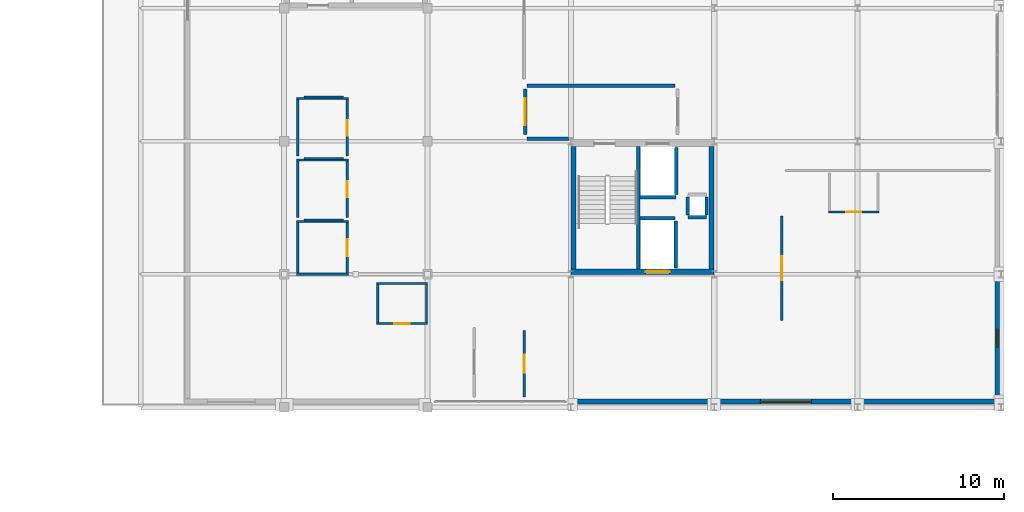
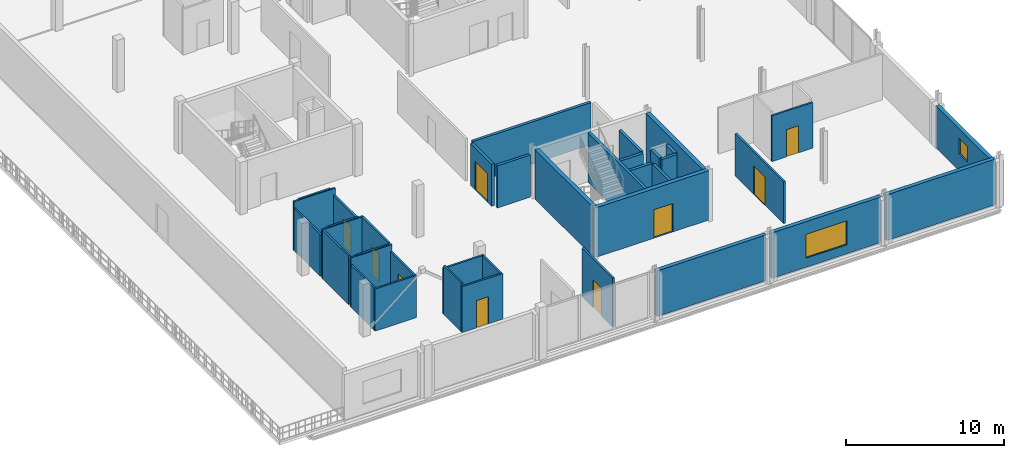
# One storey, part 10 of 20: 38 walls, 9 doors, 2 windows, 11 openings.
"""IFC4 building model written with IfcOpenShell, lengths in metres."""

from ifc_helpers import new_model, si_unit, direction, frame, frame_2d, origin, place, context, subcontext, project, spatial, rectangle, extrude, material, layer, layer_set, type_object, element, fill, save


model = new_model("IFC4")

# Units and contexts
model_context = context("Model", 3, precision=1e-05, world=origin(), true_north=direction((0.0, 1.0)))
body_context = subcontext(model_context, "Body", "Model", "MODEL_VIEW")
ifc_project = project(units=[si_unit("LENGTHUNIT", "METRE"), si_unit("AREAUNIT", "SQUARE_METRE"), si_unit("VOLUMEUNIT", "CUBIC_METRE"), si_unit("PLANEANGLEUNIT", "RADIAN"), si_unit("MASSUNIT", "GRAM", prefix="KILO")], contexts=[model_context])

# Site, building, storey
site_placement = place(None, origin())
site = spatial("IfcSite", under=ifc_project, at=site_placement, CompositionType="ELEMENT")
building_placement = place(site_placement, origin())
building = spatial("IfcBuilding", under=site, at=building_placement, Name="Nabrawat Pavilion Hospital", CompositionType="ELEMENT")
storey_placement = place(building_placement, frame((0.0, 0.0, 27.0)))
storey = spatial("IfcBuildingStorey", under=building, at=storey_placement, Name="L06", CompositionType="ELEMENT", Elevation=27.0)

# Wall, opening, door
ifc_material_1 = material(Name="Gypsum Fireboard on Steel Stud", Category="steel")
ifc_layer_1 = layer(ifc_material_1, 0.14990234375, Name="Gypsum Fireboard on Steel Stud")
ifc_layer_set_1 = layer_set([ifc_layer_1], Name="Gypsum Fireboard on Steel Stud")
wall_type_1 = type_object("IfcWallType", Name="Clinical Corridor Smoke-Barrier Wall 150", PredefinedType="PARTITIONING", material=ifc_layer_set_1)
wall_1_placement = place(storey_placement, frame((154.89990234375, 46.864990234375, 0.0), z_axis=(0.0, 0.0, 1.0), x_axis=(0.0, 1.0, 0.0)))
wall_1 = element("IfcWall", 1, at=wall_1_placement, inside=storey, type_object=wall_type_1, Name="L06 L06 Accessible WC Front Partition", PredefinedType="PARTITIONING", context=body_context, shape_type="SweptSolid", body=[
    extrude(rectangle(XDim=2.969970703125, YDim=0.14990234375, at=frame_2d((1.48486328125, 0.0))), origin(), (0.0, 0.0, 1.0), 3.260009765625),
])
opening_1_placement = place(wall_1_placement, frame((0.985107421875, 0.0, 0.0)))
opening_1 = element("IfcOpeningElement", 2, at=opening_1_placement, cuts=wall_1, Name="Opening D-WC-ACC", PredefinedType="OPENING", context=body_context, shape_type="SweptSolid", body=[
    extrude(rectangle(XDim=1.0, YDim=2.14990234375, at=frame_2d((0.5, 1.074951171875))), frame((0.0, 0.0849609375, 0.0), z_axis=(0.0, -1.0, 0.0), x_axis=(1.0, 0.0, 0.0)), (0.0, 0.0, 1.0), 0.169921875),
])
ifc_material_2 = material(Name="Stainless-Clad Acoustic Timber and Vision Glass", Category="wood")
door_type_1 = type_object("IfcDoorType", Name="Accessible Washroom Outward Door 1000x2150", OperationType="NOTDEFINED", PredefinedType="DOOR", material=ifc_material_2)
door_1_placement = place(opening_1_placement, origin())
door_1 = element("IfcDoor", 3, at=door_1_placement, inside=storey, type_object=door_type_1, Name="L06 Accessible WC Door", OperationType="SINGLE_SWING_RIGHT", OverallHeight=2.14990234375, OverallWidth=1.0, PredefinedType="DOOR", context=body_context, shape_type="SweptSolid", body=[
    extrude(rectangle(XDim=1.0, YDim=2.14990234375, at=frame_2d((0.5, 1.074951171875))), frame((0.0, 0.02490234375, 0.0), z_axis=(0.0, -1.0, 0.0), x_axis=(1.0, 0.0, 0.0)), (0.0, 0.0, 1.0), 0.050048828125),
])
fill(opening_1, door_1)

wall_2_placement = place(storey_placement, frame((154.89990234375, 50.125, 0.0), z_axis=(0.0, 0.0, 1.0), x_axis=(0.0, 1.0, 0.0)))
wall_2 = element("IfcWall", 4, at=wall_2_placement, inside=storey, type_object=wall_type_1, Name="L06 L06 Visitor Female Washroom Front Partition", PredefinedType="PARTITIONING", context=body_context, shape_type="SweptSolid", body=[
    extrude(rectangle(XDim=3.31005859375, YDim=0.14990234375, at=frame_2d((1.655029296875, 0.0))), origin(), (0.0, 0.0, 1.0), 3.77001953125),
])
opening_2_placement = place(wall_2_placement, frame((1.195068359375, 0.0, 0.0)))
opening_2 = element("IfcOpeningElement", 5, at=opening_2_placement, cuts=wall_2, Name="Opening D-WC-STD", PredefinedType="OPENING", context=body_context, shape_type="SweptSolid", body=[
    extrude(rectangle(XDim=0.919921875, YDim=2.14990234375, at=frame_2d((0.4599609375, 1.074951171875))), frame((0.0, 0.0849609375, 0.0), z_axis=(0.0, -1.0, 0.0), x_axis=(1.0, 0.0, 0.0)), (0.0, 0.0, 1.0), 0.169921875),
])
door_type_2 = type_object("IfcDoorType", Name="Washroom Lobby Privacy Door 920x2150", OperationType="NOTDEFINED", PredefinedType="DOOR", material=ifc_material_2)
door_2_placement = place(opening_2_placement, origin())
door_2 = element("IfcDoor", 6, at=door_2_placement, inside=storey, type_object=door_type_2, Name="L06 Visitor Female Washroom Door", OperationType="SINGLE_SWING_LEFT", OverallHeight=2.14990234375, OverallWidth=0.919921875, PredefinedType="DOOR", context=body_context, shape_type="SweptSolid", body=[
    extrude(rectangle(XDim=0.919921875, YDim=2.14990234375, at=frame_2d((0.4599609375, 1.074951171875))), frame((0.0, 0.02490234375, 0.0), z_axis=(0.0, -1.0, 0.0), x_axis=(1.0, 0.0, 0.0)), (0.0, 0.0, 1.0), 0.050048828125),
])
fill(opening_2, door_2)

wall_3_placement = place(storey_placement, frame((154.89990234375, 53.72509765625, 0.0), z_axis=(0.0, 0.0, 1.0), x_axis=(0.0, 1.0, 0.0)))
wall_3 = element("IfcWall", 7, at=wall_3_placement, inside=storey, type_object=wall_type_1, Name="L06 L06 Visitor Male Washroom Front Partition", PredefinedType="PARTITIONING", context=body_context, shape_type="SweptSolid", body=[
    extrude(rectangle(XDim=3.309814453125, YDim=0.14990234375, at=frame_2d((1.65478515625, 0.0))), origin(), (0.0, 0.0, 1.0), 3.260009765625),
])
opening_3_placement = place(wall_3_placement, frame((1.195068359375, 0.0, 0.0)))
opening_3 = element("IfcOpeningElement", 8, at=opening_3_placement, cuts=wall_3, Name="Opening D-WC-STD", PredefinedType="OPENING", context=body_context, shape_type="SweptSolid", body=[
    extrude(rectangle(XDim=0.919921875, YDim=2.14990234375, at=frame_2d((0.4599609375, 1.074951171875))), frame((0.0, 0.0849609375, 0.0), z_axis=(0.0, -1.0, 0.0), x_axis=(1.0, 0.0, 0.0)), (0.0, 0.0, 1.0), 0.169921875),
])
door_3_placement = place(opening_3_placement, origin())
door_3 = element("IfcDoor", 9, at=door_3_placement, inside=storey, type_object=door_type_2, Name="L06 Visitor Male Washroom Door", OperationType="SINGLE_SWING_RIGHT", OverallHeight=2.14990234375, OverallWidth=0.919921875, PredefinedType="DOOR", context=body_context, shape_type="SweptSolid", body=[
    extrude(rectangle(XDim=0.919921875, YDim=2.14990234375, at=frame_2d((0.4599609375, 1.074951171875))), frame((0.0, 0.02490234375, 0.0), z_axis=(0.0, -1.0, 0.0), x_axis=(1.0, 0.0, 0.0)), (0.0, 0.0, 1.0), 0.050048828125),
])
fill(opening_3, door_3)

wall_4_placement = place(storey_placement, frame((165.264892578125, 39.6201171875, 0.0), z_axis=(0.0, 0.0, 1.0), x_axis=(0.0, 1.0, 0.0)))
wall_4 = element("IfcWall", 10, at=wall_4_placement, inside=storey, type_object=wall_type_1, Name="L06 Neurology Family Sunroom L06-03 Front Partition", PredefinedType="PARTITIONING", context=body_context, shape_type="SweptSolid", body=[
    extrude(rectangle(XDim=3.8798828125, YDim=0.14990234375, at=frame_2d((1.93994140625, 0.0))), origin(), (0.0, 0.0, 1.0), 3.77001953125),
])
opening_4_placement = place(wall_4_placement, frame((1.4150390625, 0.0, 0.0)))
opening_4 = element("IfcOpeningElement", 11, at=opening_4_placement, cuts=wall_4, Name="Opening D-OPC-R", PredefinedType="OPENING", context=body_context, shape_type="SweptSolid", body=[
    extrude(rectangle(XDim=1.050048828125, YDim=2.14990234375, at=frame_2d((0.52490234375, 1.074951171875))), frame((0.0, 0.0849609375, 0.0), z_axis=(0.0, -1.0, 0.0), x_axis=(1.0, 0.0, 0.0)), (0.0, 0.0, 1.0), 0.169921875),
])
door_type_3 = type_object("IfcDoorType", Name="Outpatient Clinic Consultation Door R 1050x2150", OperationType="NOTDEFINED", PredefinedType="DOOR", material=ifc_material_2)
door_4_placement = place(opening_4_placement, origin())
door_4 = element("IfcDoor", 12, at=door_4_placement, inside=storey, type_object=door_type_3, Name="Neurology Family Sunroom L06-03 Door", OperationType="SINGLE_SWING_LEFT", OverallHeight=2.14990234375, OverallWidth=1.050048828125, PredefinedType="DOOR", context=body_context, shape_type="SweptSolid", body=[
    extrude(rectangle(XDim=1.050048828125, YDim=2.14990234375, at=frame_2d((0.52490234375, 1.074951171875))), frame((0.0, 0.02490234375, 0.0), z_axis=(0.0, -1.0, 0.0), x_axis=(1.0, 0.0, 0.0)), (0.0, 0.0, 1.0), 0.050048828125),
])
fill(opening_4, door_4)

wall_5_placement = place(storey_placement, frame((180.35009765625, 44.080078125, 0.0), z_axis=(0.0, 0.0, 1.0), x_axis=(0.0, 1.0, 0.0)))
wall_5 = element("IfcWall", 13, at=wall_5_placement, inside=storey, type_object=wall_type_1, Name="L06 Inpatient Ward Stroke Recovery Suite L06-E1 Front Partition", PredefinedType="PARTITIONING", context=body_context, shape_type="SweptSolid", body=[
    extrude(rectangle(XDim=6.1298828125, YDim=0.14990234375, at=frame_2d((3.06494140625, 0.0))), origin(), (0.0, 0.0, 1.0), 3.260009765625),
])
opening_5_placement = place(wall_5_placement, frame((2.364990234375, 0.0, 0.0)))
opening_5 = element("IfcOpeningElement", 14, at=opening_5_placement, cuts=wall_5, Name="Opening D-BED", PredefinedType="OPENING", context=body_context, shape_type="SweptSolid", body=[
    extrude(rectangle(XDim=1.39990234375, YDim=2.199951171875, at=frame_2d((0.699951171875, 1.10009765625))), frame((0.0, 0.0849609375, 0.0), z_axis=(0.0, -1.0, 0.0), x_axis=(1.0, 0.0, 0.0)), (0.0, 0.0, 1.0), 0.169921875),
])
door_type_4 = type_object("IfcDoorType", Name="D-BED Inpatient Ward Leaf-and-a-Half Door 1400x2200", OperationType="NOTDEFINED", PredefinedType="DOOR", material=ifc_material_2)
door_5_placement = place(opening_5_placement, origin())
door_5 = element("IfcDoor", 15, at=door_5_placement, inside=storey, type_object=door_type_4, Name="Inpatient Ward Stroke Recovery Suite L06-E1 Door", OperationType="SINGLE_SWING_RIGHT", OverallHeight=2.199951171875, OverallWidth=1.39990234375, PredefinedType="DOOR", context=body_context, shape_type="SweptSolid", body=[
    extrude(rectangle(XDim=1.39990234375, YDim=2.199951171875, at=frame_2d((0.699951171875, 1.10009765625))), frame((0.0, 0.02490234375, 0.0), z_axis=(0.0, -1.0, 0.0), x_axis=(1.0, 0.0, 0.0)), (0.0, 0.0, 1.0), 0.050048828125),
])
fill(opening_5, door_5)

# Walls
ifc_material_3 = material(Name="Cement Board on Steel Stud", Category="steel")
ifc_layer_2 = layer(ifc_material_3, 0.1298828125, Name="Cement Board on Steel Stud")
ifc_layer_set_2 = layer_set([ifc_layer_2], Name="Cement Board on Steel Stud")
wall_type_2 = type_object("IfcWallType", Name="En-Suite Moisture-Resistant Partition 130", PredefinedType="PARTITIONING", material=ifc_layer_set_2)
wall_6_placement = place(storey_placement, frame((151.93505859375, 46.800048828125, 0.0), z_axis=(0.0, 0.0, 1.0), x_axis=(1.0, 0.0, 0.0)))
element("IfcWall", 16, at=wall_6_placement, inside=storey, type_object=wall_type_2, Name="L06 L06 Accessible WC South Partition", PredefinedType="PARTITIONING", context=body_context, shape_type="SweptSolid", body=[
    extrude(rectangle(XDim=3.030029296875, YDim=0.1298828125, at=frame_2d((1.51513671875, 0.0))), origin(), (0.0, 0.0, 1.0), 3.260009765625),
])
wall_7_placement = place(storey_placement, frame((151.93505859375, 49.89990234375, 0.0), z_axis=(0.0, 0.0, 1.0), x_axis=(1.0, 0.0, 0.0)))
element("IfcWall", 17, at=wall_7_placement, inside=storey, type_object=wall_type_2, Name="L06 L06 Accessible WC North Partition", PredefinedType="PARTITIONING", context=body_context, shape_type="SweptSolid", body=[
    extrude(rectangle(XDim=3.030029296875, YDim=0.1298828125, at=frame_2d((1.51513671875, 0.0))), origin(), (0.0, 0.0, 1.0), 3.77001953125),
])
wall_8_placement = place(storey_placement, frame((152.0, 46.864990234375, 0.0), z_axis=(0.0, 0.0, 1.0), x_axis=(0.0, 1.0, 0.0)))
element("IfcWall", 18, at=wall_8_placement, inside=storey, type_object=wall_type_2, Name="L06 L06 Accessible WC West Partition", PredefinedType="PARTITIONING", context=body_context, shape_type="SweptSolid", body=[
    extrude(rectangle(XDim=2.969970703125, YDim=0.1298828125, at=frame_2d((1.48486328125, 0.0))), origin(), (0.0, 0.0, 1.0), 3.260009765625),
])
wall_9_placement = place(storey_placement, frame((152.35009765625, 49.97998046875, 0.0), z_axis=(0.0, 0.0, 1.0), x_axis=(1.0, 0.0, 0.0)))
element("IfcWall", 19, at=wall_9_placement, inside=storey, type_object=wall_type_2, Name="L06 L06 Accessible WC Dividing Partition", PredefinedType="PARTITIONING", context=body_context, shape_type="SweptSolid", body=[
    extrude(rectangle(XDim=2.329833984375, YDim=0.1298828125, at=frame_2d((1.1650390625, 0.0))), origin(), (0.0, 0.0, 1.0), 3.77001953125),
])
wall_10_placement = place(storey_placement, frame((151.93505859375, 53.5, 0.0), z_axis=(0.0, 0.0, 1.0), x_axis=(1.0, 0.0, 0.0)))
element("IfcWall", 20, at=wall_10_placement, inside=storey, type_object=wall_type_2, Name="L06 L06 Visitor Female Washroom North Partition", PredefinedType="PARTITIONING", context=body_context, shape_type="SweptSolid", body=[
    extrude(rectangle(XDim=3.030029296875, YDim=0.1298828125, at=frame_2d((1.51513671875, 0.0))), origin(), (0.0, 0.0, 1.0), 3.77001953125),
])
wall_11_placement = place(storey_placement, frame((152.0, 50.125, 0.0), z_axis=(0.0, 0.0, 1.0), x_axis=(0.0, 1.0, 0.0)))
element("IfcWall", 21, at=wall_11_placement, inside=storey, type_object=wall_type_2, Name="L06 L06 Visitor Female Washroom West Partition", PredefinedType="PARTITIONING", context=body_context, shape_type="SweptSolid", body=[
    extrude(rectangle(XDim=3.31005859375, YDim=0.1298828125, at=frame_2d((1.655029296875, 0.0))), origin(), (0.0, 0.0, 1.0), 3.77001953125),
])
wall_12_placement = place(storey_placement, frame((152.35009765625, 53.580078125, 0.0), z_axis=(0.0, 0.0, 1.0), x_axis=(1.0, 0.0, 0.0)))
element("IfcWall", 22, at=wall_12_placement, inside=storey, type_object=wall_type_2, Name="L06 L06 Visitor Female Washroom Dividing Partition", PredefinedType="PARTITIONING", context=body_context, shape_type="SweptSolid", body=[
    extrude(rectangle(XDim=2.329833984375, YDim=0.1298828125, at=frame_2d((1.1650390625, 0.0))), origin(), (0.0, 0.0, 1.0), 3.77001953125),
])
wall_13_placement = place(storey_placement, frame((151.93505859375, 57.10009765625, 0.0), z_axis=(0.0, 0.0, 1.0), x_axis=(1.0, 0.0, 0.0)))
element("IfcWall", 23, at=wall_13_placement, inside=storey, type_object=wall_type_2, Name="L06 L06 Visitor Male Washroom North Partition", PredefinedType="PARTITIONING", context=body_context, shape_type="SweptSolid", body=[
    extrude(rectangle(XDim=3.030029296875, YDim=0.1298828125, at=frame_2d((1.51513671875, 0.0))), origin(), (0.0, 0.0, 1.0), 3.77001953125),
])
wall_14_placement = place(storey_placement, frame((152.0, 53.72509765625, 0.0), z_axis=(0.0, 0.0, 1.0), x_axis=(0.0, 1.0, 0.0)))
element("IfcWall", 24, at=wall_14_placement, inside=storey, type_object=wall_type_2, Name="L06 L06 Visitor Male Washroom West Partition", PredefinedType="PARTITIONING", context=body_context, shape_type="SweptSolid", body=[
    extrude(rectangle(XDim=3.309814453125, YDim=0.1298828125, at=frame_2d((1.65478515625, 0.0))), origin(), (0.0, 0.0, 1.0), 3.260009765625),
])
wall_15_placement = place(storey_placement, frame((152.35009765625, 57.179931640625, 0.0), z_axis=(0.0, 0.0, 1.0), x_axis=(1.0, 0.0, 0.0)))
element("IfcWall", 25, at=wall_15_placement, inside=storey, type_object=wall_type_2, Name="L06 L06 Visitor Male Washroom Dividing Partition", PredefinedType="PARTITIONING", context=body_context, shape_type="SweptSolid", body=[
    extrude(rectangle(XDim=2.329833984375, YDim=0.1298828125, at=frame_2d((1.1650390625, 0.0))), origin(), (0.0, 0.0, 1.0), 3.77001953125),
])

# Wall, opening, door
wall_16_placement = place(storey_placement, frame((156.6201171875, 43.909912109375, 0.0), z_axis=(0.0, 0.0, 1.0), x_axis=(1.0, 0.0, 0.0)))
wall_16 = element("IfcWall", 26, at=wall_16_placement, inside=storey, type_object=wall_type_2, Name="L06 En-Suite Bathroom WRD-NRH-01 Front Partition", PredefinedType="PARTITIONING", context=body_context, shape_type="SweptSolid", body=[
    extrude(rectangle(XDim=2.97998046875, YDim=0.1298828125, at=frame_2d((1.489990234375, 0.0))), origin(), (0.0, 0.0, 1.0), 3.5400390625),
])
opening_6_placement = place(wall_16_placement, frame((1.0400390625, 0.0, 0.0)))
opening_6 = element("IfcOpeningElement", 27, at=opening_6_placement, cuts=wall_16, Name="Opening D-ENS-L", PredefinedType="OPENING", context=body_context, shape_type="SweptSolid", body=[
    extrude(rectangle(XDim=0.89990234375, YDim=2.10009765625, at=frame_2d((0.449951171875, 1.050048828125))), frame((0.0, 0.074951171875, 0.0), z_axis=(0.0, -1.0, 0.0), x_axis=(1.0, 0.0, 0.0)), (0.0, 0.0, 1.0), 0.14990234375),
])
door_type_5 = type_object("IfcDoorType", Name="En-Suite Bathroom Outward Door L 900x2100", OperationType="NOTDEFINED", PredefinedType="DOOR", material=ifc_material_2)
door_6_placement = place(opening_6_placement, origin())
door_6 = element("IfcDoor", 28, at=door_6_placement, inside=storey, type_object=door_type_5, Name="En-Suite Bathroom WRD-NRH-01 Door", OperationType="SINGLE_SWING_RIGHT", OverallHeight=2.10009765625, OverallWidth=0.89990234375, PredefinedType="DOOR", context=body_context, shape_type="SweptSolid", body=[
    extrude(rectangle(XDim=0.89990234375, YDim=2.10009765625, at=frame_2d((0.449951171875, 1.050048828125))), frame((0.0, 0.02490234375, 0.0), z_axis=(0.0, -1.0, 0.0), x_axis=(1.0, 0.0, 0.0)), (0.0, 0.0, 1.0), 0.050048828125),
])
fill(opening_6, door_6)

# Walls
wall_17_placement = place(storey_placement, frame((156.6201171875, 46.260009765625, 0.0), z_axis=(0.0, 0.0, 1.0), x_axis=(1.0, 0.0, 0.0)))
element("IfcWall", 29, at=wall_17_placement, inside=storey, type_object=wall_type_2, Name="L06 En-Suite Bathroom WRD-NRH-01 North Partition", PredefinedType="PARTITIONING", context=body_context, shape_type="SweptSolid", body=[
    extrude(rectangle(XDim=2.97998046875, YDim=0.1298828125, at=frame_2d((1.489990234375, 0.0))), origin(), (0.0, 0.0, 1.0), 3.5400390625),
])
wall_18_placement = place(storey_placement, frame((156.68505859375, 43.97509765625, 0.0), z_axis=(0.0, 0.0, 1.0), x_axis=(0.0, 1.0, 0.0)))
element("IfcWall", 30, at=wall_18_placement, inside=storey, type_object=wall_type_2, Name="L06 En-Suite Bathroom WRD-NRH-01 West Partition", PredefinedType="PARTITIONING", context=body_context, shape_type="SweptSolid", body=[
    extrude(rectangle(XDim=2.219970703125, YDim=0.1298828125, at=frame_2d((1.10986328125, 0.0))), origin(), (0.0, 0.0, 1.0), 3.77001953125),
])
wall_19_placement = place(storey_placement, frame((159.534912109375, 43.97509765625, 0.0), z_axis=(0.0, 0.0, 1.0), x_axis=(0.0, 1.0, 0.0)))
element("IfcWall", 31, at=wall_19_placement, inside=storey, type_object=wall_type_2, Name="L06 En-Suite Bathroom WRD-NRH-01 East Partition", PredefinedType="PARTITIONING", context=body_context, shape_type="SweptSolid", body=[
    extrude(rectangle(XDim=2.219970703125, YDim=0.1298828125, at=frame_2d((1.10986328125, 0.0))), origin(), (0.0, 0.0, 1.0), 3.5400390625),
])

# Wall, opening, door
wall_20_placement = place(storey_placement, frame((183.0849609375, 50.449951171875, 0.0), z_axis=(0.0, 0.0, 1.0), x_axis=(1.0, 0.0, 0.0)))
wall_20 = element("IfcWall", 32, at=wall_20_placement, inside=storey, type_object=wall_type_2, Name="L06 En-Suite Bathroom WRD-NEU-E1 Front Partition", PredefinedType="PARTITIONING", context=body_context, shape_type="SweptSolid", body=[
    extrude(rectangle(XDim=2.97998046875, YDim=0.1298828125, at=frame_2d((1.489990234375, 0.0))), origin(), (0.0, 0.0, 1.0), 3.5400390625),
])
opening_7_placement = place(wall_20_placement, frame((1.0400390625, 0.0, 0.0)))
opening_7 = element("IfcOpeningElement", 33, at=opening_7_placement, cuts=wall_20, Name="Opening D-ENS-R", PredefinedType="OPENING", context=body_context, shape_type="SweptSolid", body=[
    extrude(rectangle(XDim=0.89990234375, YDim=2.10009765625, at=frame_2d((0.449951171875, 1.050048828125))), frame((0.0, 0.074951171875, 0.0), z_axis=(0.0, -1.0, 0.0), x_axis=(1.0, 0.0, 0.0)), (0.0, 0.0, 1.0), 0.14990234375),
])
door_type_6 = type_object("IfcDoorType", Name="En-Suite Bathroom Outward Door R 900x2100", OperationType="NOTDEFINED", PredefinedType="DOOR", material=ifc_material_2)
door_7_placement = place(opening_7_placement, origin())
door_7 = element("IfcDoor", 34, at=door_7_placement, inside=storey, type_object=door_type_6, Name="En-Suite Bathroom WRD-NEU-E1 Door", OperationType="SINGLE_SWING_LEFT", OverallHeight=2.10009765625, OverallWidth=0.89990234375, PredefinedType="DOOR", context=body_context, shape_type="SweptSolid", body=[
    extrude(rectangle(XDim=0.89990234375, YDim=2.10009765625, at=frame_2d((0.449951171875, 1.050048828125))), frame((0.0, 0.02490234375, 0.0), z_axis=(0.0, -1.0, 0.0), x_axis=(1.0, 0.0, 0.0)), (0.0, 0.0, 1.0), 0.050048828125),
])
fill(opening_7, door_7)

# Walls
ifc_material_4 = material(Name="Concrete C35/45", Category="concrete")
ifc_layer_3 = layer(ifc_material_4, 0.199951171875, Name="Concrete C35/45")
ifc_layer_set_3 = layer_set([ifc_layer_3], Name="Concrete C35/45")
wall_type_3 = type_object("IfcWallType", Name="Firefighting Lobby Compartment Wall 200", PredefinedType="PARTITIONING", material=ifc_layer_set_3)
wall_21_placement = place(storey_placement, frame((165.43994140625, 54.75, 0.0), z_axis=(0.0, 0.0, 1.0), x_axis=(1.0, 0.0, 0.0)))
element("IfcWall", 35, at=wall_21_placement, inside=storey, type_object=wall_type_3, Name="L06 CORE-5 Firefighting Lobby South Return Wall", PredefinedType="PARTITIONING", context=body_context, shape_type="SweptSolid", body=[
    extrude(rectangle(XDim=2.43994140625, YDim=0.199951171875, at=frame_2d((1.219970703125, 0.0))), origin(), (0.0, 0.0, 1.0), 3.260009765625),
])
wall_22_placement = place(storey_placement, frame((165.43994140625, 57.85009765625, 0.0), z_axis=(0.0, 0.0, 1.0), x_axis=(1.0, 0.0, 0.0)))
element("IfcWall", 36, at=wall_22_placement, inside=storey, type_object=wall_type_3, Name="L06 CORE-5 Firefighting Lobby North Compartment Wall", PredefinedType="PARTITIONING", context=body_context, shape_type="SweptSolid", body=[
    extrude(rectangle(XDim=8.66015625, YDim=0.199951171875, at=frame_2d((4.330078125, 0.0))), origin(), (0.0, 0.0, 1.0), 3.260009765625),
])

# Wall, opening, door
wall_23_placement = place(storey_placement, frame((165.320068359375, 55.0, 0.0), z_axis=(0.0, 0.0, 1.0), x_axis=(0.0, 1.0, 0.0)))
wall_23 = element("IfcWall", 37, at=wall_23_placement, inside=storey, type_object=wall_type_3, Name="L06 CORE-5 Firefighting Lobby West Compartment Wall", PredefinedType="PARTITIONING", context=body_context, shape_type="SweptSolid", body=[
    extrude(rectangle(XDim=2.64990234375, YDim=0.199951171875, at=frame_2d((1.324951171875, 0.0))), origin(), (0.0, 0.0, 1.0), 3.260009765625),
])
opening_8_placement = place(wall_23_placement, frame((0.52490234375, 0.0, 0.0)))
opening_8 = element("IfcOpeningElement", 38, at=opening_8_placement, cuts=wall_23, Name="Opening D-FFL", PredefinedType="OPENING", context=body_context, shape_type="SweptSolid", body=[
    extrude(rectangle(XDim=1.60009765625, YDim=2.199951171875, at=frame_2d((0.800048828125, 1.10009765625))), frame((0.0, 0.10986328125, 0.0), z_axis=(0.0, -1.0, 0.0), x_axis=(1.0, 0.0, 0.0)), (0.0, 0.0, 1.0), 0.219970703125),
])
door_type_7 = type_object("IfcDoorType", Name="D-FFL Firefighting Lobby Double Smoke Door 1600x2200", OperationType="NOTDEFINED", PredefinedType="DOOR", material=ifc_material_2)
door_8_placement = place(opening_8_placement, origin())
door_8 = element("IfcDoor", 39, at=door_8_placement, inside=storey, type_object=door_type_7, Name="L06 CORE-5 Firefighting Lobby West Smoke Door", OperationType="DOUBLE_DOOR_SINGLE_SWING", OverallHeight=2.199951171875, OverallWidth=1.60009765625, PredefinedType="DOOR", context=body_context, shape_type="SweptSolid", body=[
    extrude(rectangle(XDim=1.60009765625, YDim=2.199951171875, at=frame_2d((0.800048828125, 1.10009765625))), frame((0.0, 0.02490234375, 0.0), z_axis=(0.0, -1.0, 0.0), x_axis=(1.0, 0.0, 0.0)), (0.0, 0.0, 1.0), 0.050048828125),
])
fill(opening_8, door_8)

# Wall
ifc_material_5 = material(Name="Precast concrete C40/50", Category="concrete")
ifc_layer_4 = layer(ifc_material_5, 0.280029296875, Name="Precast concrete C40/50")
ifc_layer_set_4 = layer_set([ifc_layer_4], Name="Precast concrete C40/50")
wall_type_4 = type_object("IfcWallType", Name="Insulated Precast Facade Wall 280", PredefinedType="SOLIDWALL", material=ifc_layer_set_4)
wall_24_placement = place(storey_placement, frame((168.199951171875, 39.340087890625, 0.0), z_axis=(0.0, 0.0, 1.0), x_axis=(1.0, 0.0, 0.0)))
element("IfcWall", 40, at=wall_24_placement, inside=storey, type_object=wall_type_4, Name="L06 Insulated Precast Facade Wall 280 403", PredefinedType="SOLIDWALL", context=body_context, shape_type="SweptSolid", body=[
    extrude(rectangle(XDim=8.0, YDim=0.280029296875, at=frame_2d((4.0, 0.0))), origin(), (0.0, 0.0, 1.0), 3.530029296875),
])

# Wall, opening, window
wall_25_placement = place(storey_placement, frame((176.60009765625, 39.340087890625, 0.0), z_axis=(0.0, 0.0, 1.0), x_axis=(1.0, 0.0, 0.0)))
wall_25 = element("IfcWall", 41, at=wall_25_placement, inside=storey, type_object=wall_type_4, Name="L06 Insulated Precast Facade Wall 280 404", PredefinedType="SOLIDWALL", context=body_context, shape_type="SweptSolid", body=[
    extrude(rectangle(XDim=8.0, YDim=0.280029296875, at=frame_2d((4.0, 0.0))), origin(), (0.0, 0.0, 1.0), 3.530029296875),
])
opening_9_placement = place(wall_25_placement, frame((2.5, 0.0, 0.699951171875)))
opening_9 = element("IfcOpeningElement", 42, at=opening_9_placement, cuts=wall_25, Name="Opening WN-16", PredefinedType="OPENING", context=body_context, shape_type="SweptSolid", body=[
    extrude(rectangle(XDim=3.0, YDim=1.85009765625, at=frame_2d((1.5, 0.925048828125))), frame((0.0, 0.14990234375, 0.0), z_axis=(0.0, -1.0, 0.0), x_axis=(1.0, 0.0, 0.0)), (0.0, 0.0, 1.0), 0.300048828125),
])
ifc_material_6 = material(Name="Thermally Broken Aluminium and Solar Glass", Category="aluminium")
window_type_1 = type_object("IfcWindowType", Name="VIP Suite Panoramic Window 3000x1850", PartitioningType="SINGLE_PANEL", PredefinedType="WINDOW", material=ifc_material_6)
window_1_placement = place(opening_9_placement, origin())
window_1 = element("IfcWindow", 43, at=window_1_placement, inside=storey, type_object=window_type_1, Name="L06 VIP Suite Panoramic Window 3000x1850 144", OverallHeight=1.85009765625, OverallWidth=3.0, PartitioningType="SINGLE_PANEL", PredefinedType="WINDOW", context=body_context, shape_type="SweptSolid", body=[
    extrude(rectangle(XDim=3.0, YDim=1.85009765625, at=frame_2d((1.5, 0.925048828125))), frame((0.0, 0.030029296875, 0.0), z_axis=(0.0, -1.0, 0.0), x_axis=(1.0, 0.0, 0.0)), (0.0, 0.0, 1.0), 0.06005859375),
])
fill(opening_9, window_1)

# Wall
wall_26_placement = place(storey_placement, frame((185.0, 39.340087890625, 0.0), z_axis=(0.0, 0.0, 1.0), x_axis=(1.0, 0.0, 0.0)))
element("IfcWall", 44, at=wall_26_placement, inside=storey, type_object=wall_type_4, Name="L06 Insulated Precast Facade Wall 280 405", PredefinedType="SOLIDWALL", context=body_context, shape_type="SweptSolid", body=[
    extrude(rectangle(XDim=8.0, YDim=0.280029296875, at=frame_2d((4.0, 0.0))), origin(), (0.0, 0.0, 1.0), 3.530029296875),
])

# Wall, opening, window
wall_27_placement = place(storey_placement, frame((192.97998046875, 39.56005859375, 0.0), z_axis=(0.0, 0.0, 1.0), x_axis=(0.0, 1.0, 0.0)))
wall_27 = element("IfcWall", 45, at=wall_27_placement, inside=storey, type_object=wall_type_4, Name="L06 Insulated Precast Facade Wall 280 407", PredefinedType="SOLIDWALL", context=body_context, shape_type="SweptSolid", body=[
    extrude(rectangle(XDim=6.989990234375, YDim=0.280029296875, at=frame_2d((3.4951171875, 0.0))), origin(), (0.0, 0.0, 1.0), 3.260009765625),
])
opening_10_placement = place(wall_27_placement, frame((2.969970703125, 0.0, 1.300048828125)))
opening_10 = element("IfcOpeningElement", 46, at=opening_10_placement, cuts=wall_27, Name="Opening WN-18", PredefinedType="OPENING", context=body_context, shape_type="SweptSolid", body=[
    extrude(rectangle(XDim=1.050048828125, YDim=1.199951171875, at=frame_2d((0.52490234375, 0.60009765625))), frame((0.0, 0.14990234375, 0.0), z_axis=(0.0, -1.0, 0.0), x_axis=(1.0, 0.0, 0.0)), (0.0, 0.0, 1.0), 0.300048828125),
])
window_type_2 = type_object("IfcWindowType", Name="Pharmacy Daylight Slot Window 1050x1200", PartitioningType="SINGLE_PANEL", PredefinedType="WINDOW", material=ifc_material_6)
window_2_placement = place(opening_10_placement, origin())
window_2 = element("IfcWindow", 47, at=window_2_placement, inside=storey, type_object=window_type_2, Name="L06 Pharmacy Daylight Slot Window 1050x1200 146", OverallHeight=1.199951171875, OverallWidth=1.050048828125, PartitioningType="SINGLE_PANEL", PredefinedType="WINDOW", context=body_context, shape_type="SweptSolid", body=[
    extrude(rectangle(XDim=1.050048828125, YDim=1.199951171875, at=frame_2d((0.52490234375, 0.60009765625))), frame((0.0, 0.030029296875, 0.0), z_axis=(0.0, -1.0, 0.0), x_axis=(1.0, 0.0, 0.0)), (0.0, 0.0, 1.0), 0.06005859375),
])
fill(opening_10, window_2)

# Walls
ifc_layer_5 = layer(ifc_material_4, 0.199951171875, Name="Concrete C35/45")
ifc_layer_set_5 = layer_set([ifc_layer_5], Name="Concrete C35/45")
wall_type_5 = type_object("IfcWallType", Name="Lift and Riser Fire Shaft Wall 200", PredefinedType="PARTITIONING", material=ifc_layer_set_5)
wall_28_placement = place(storey_placement, frame((171.949951171875, 47.1201171875, 0.0), z_axis=(0.0, 0.0, 1.0), x_axis=(0.0, 1.0, 0.0)))
element("IfcWall", 48, at=wall_28_placement, inside=storey, type_object=wall_type_5, Name="L06 CORE-5 Stair-Lift Dividing Shear Wall", PredefinedType="SHEAR", context=body_context, shape_type="SweptSolid", body=[
    extrude(rectangle(XDim=7.159912109375, YDim=0.199951171875, at=frame_2d((3.580078125, 0.0))), origin(), (0.0, 0.0, 1.0), 3.830078125),
])
wall_29_placement = place(storey_placement, frame((174.85009765625, 50.14990234375, 0.0), z_axis=(0.0, 0.0, 1.0), x_axis=(1.0, 0.0, 0.0)))
element("IfcWall", 49, at=wall_29_placement, inside=storey, type_object=wall_type_5, Name="L06 CORE-5 MEP Riser Shaft Wall S", PredefinedType="PARTITIONING", context=body_context, shape_type="SweptSolid", body=[
    extrude(rectangle(XDim=1.099853515625, YDim=0.199951171875, at=frame_2d((0.5498046875, 0.0))), origin(), (0.0, 0.0, 1.0), 3.260009765625),
])
for number, where, z_axis, x_axis, name in (
    (50, (174.85009765625, 50.27001953125, 0.0), (0.0, 0.0, 1.0), (0.0, 1.0, 0.0), "L06 CORE-5 MEP Riser Shaft Wall W"),
    (51, (175.949951171875, 50.27001953125, 0.0), (0.0, 0.0, 1.0), (0.0, 1.0, 0.0), "L06 CORE-5 MEP Riser Shaft Wall E"),
):
    element("IfcWall", number, at=place(storey_placement, frame(where, z_axis=z_axis, x_axis=x_axis)), inside=storey, type_object=wall_type_5, Name=name, PredefinedType="PARTITIONING", context=body_context, shape_type="SweptSolid", body=[
        extrude(rectangle(XDim=1.06005859375, YDim=0.199951171875, at=frame_2d((0.530029296875, 0.0))), origin(), (0.0, 0.0, 1.0), 3.260009765625),
    ])
wall_30_placement = place(storey_placement, frame((174.179931640625, 51.47998046875, 0.0), z_axis=(0.0, 0.0, 1.0), x_axis=(0.0, 1.0, 0.0)))
element("IfcWall", 52, at=wall_30_placement, inside=storey, type_object=wall_type_5, Name="L06 Lift LF-01 Shaft East Wall", PredefinedType="PARTITIONING", context=body_context, shape_type="SweptSolid", body=[
    extrude(rectangle(XDim=2.739990234375, YDim=0.199951171875, at=frame_2d((1.3701171875, 0.0))), origin(), (0.0, 0.0, 1.0), 3.260009765625),
])
wall_31_placement = place(storey_placement, frame((172.050048828125, 51.320068359375, 0.0), z_axis=(0.0, 0.0, 1.0), x_axis=(1.0, 0.0, 0.0)))
element("IfcWall", 53, at=wall_31_placement, inside=storey, type_object=wall_type_5, Name="L06 Lift LF-01 Shaft Back Wall", PredefinedType="PARTITIONING", context=body_context, shape_type="SweptSolid", body=[
    extrude(rectangle(XDim=2.099853515625, YDim=0.199951171875, at=frame_2d((1.0498046875, 0.0))), origin(), (0.0, 0.0, 1.0), 3.260009765625),
])
wall_32_placement = place(storey_placement, frame((174.139892578125, 47.179931640625, 0.0), z_axis=(0.0, 0.0, 1.0), x_axis=(0.0, 1.0, 0.0)))
element("IfcWall", 54, at=wall_32_placement, inside=storey, type_object=wall_type_5, Name="L06 Lift LB-03 Shaft East Wall", PredefinedType="PARTITIONING", context=body_context, shape_type="SweptSolid", body=[
    extrude(rectangle(XDim=2.739990234375, YDim=0.199951171875, at=frame_2d((1.3701171875, 0.0))), origin(), (0.0, 0.0, 1.0), 3.260009765625),
])
wall_33_placement = place(storey_placement, frame((172.050048828125, 50.080078125, 0.0), z_axis=(0.0, 0.0, 1.0), x_axis=(1.0, 0.0, 0.0)))
element("IfcWall", 55, at=wall_33_placement, inside=storey, type_object=wall_type_5, Name="L06 Lift LB-03 Shaft Back Wall", PredefinedType="PARTITIONING", context=body_context, shape_type="SweptSolid", body=[
    extrude(rectangle(XDim=2.06005859375, YDim=0.199951171875, at=frame_2d((1.030029296875, 0.0))), origin(), (0.0, 0.0, 1.0), 3.260009765625),
])

# Wall, opening, door
ifc_material_7 = material(Name="Concrete C40/50", Category="concrete")
ifc_layer_6 = layer(ifc_material_7, 0.300048828125, Name="Concrete C40/50")
ifc_layer_set_6 = layer_set([ifc_layer_6], Name="Concrete C40/50")
wall_type_6 = type_object("IfcWallType", Name="Reinforced Concrete Core Shear Wall 300", PredefinedType="SHEAR", material=ifc_layer_set_6)
wall_34_placement = place(storey_placement, frame((168.0, 46.949951171875, 0.0), z_axis=(0.0, 0.0, 1.0), x_axis=(1.0, 0.0, 0.0)))
wall_34 = element("IfcWall", 56, at=wall_34_placement, inside=storey, type_object=wall_type_6, Name="L06 CORE-5 South Core Shear Wall", PredefinedType="SHEAR", context=body_context, shape_type="SweptSolid", body=[
    extrude(rectangle(XDim=8.39990234375, YDim=0.300048828125, at=frame_2d((4.199951171875, 0.0))), origin(), (0.0, 0.0, 1.0), 3.830078125),
])
opening_11_placement = place(wall_34_placement, frame((4.3798828125, 0.0, 0.0)))
opening_11 = element("IfcOpeningElement", 57, at=opening_11_placement, cuts=wall_34, Name="Opening LD-LB-03", PredefinedType="OPENING", context=body_context, shape_type="SweptSolid", body=[
    extrude(rectangle(XDim=1.39990234375, YDim=2.199951171875, at=frame_2d((0.699951171875, 1.10009765625))), frame((0.0, 0.16015625, 0.0), z_axis=(0.0, -1.0, 0.0), x_axis=(1.0, 0.0, 0.0)), (0.0, 0.0, 1.0), 0.320068359375),
])
door_type_8 = type_object("IfcDoorType", Name="Hospital Bed Lift Sliding Landing Door 1400x2200", OperationType="DOUBLE_DOOR_SLIDING", PredefinedType="DOOR", material=ifc_material_2)
door_9_placement = place(opening_11_placement, origin())
door_9 = element("IfcDoor", 58, at=door_9_placement, inside=storey, type_object=door_type_8, Name="L06 Lift LB-03 Sliding Landing Door", OperationType="DOUBLE_DOOR_SLIDING", OverallHeight=2.199951171875, OverallWidth=1.39990234375, PredefinedType="DOOR", context=body_context, shape_type="SweptSolid", body=[
    extrude(rectangle(XDim=1.39990234375, YDim=2.199951171875, at=frame_2d((0.699951171875, 1.10009765625))), frame((0.0, 0.02490234375, 0.0), z_axis=(0.0, -1.0, 0.0), x_axis=(1.0, 0.0, 0.0)), (0.0, 0.0, 1.0), 0.050048828125),
])
fill(opening_11, door_9)

# Walls
for number, where, z_axis, x_axis, name in (
    (59, (168.14990234375, 47.10009765625, 0.0), (0.0, 0.0, 1.0), (0.0, 1.0, 0.0), "L06 CORE-5 West Core Shear Wall"),
    (60, (176.25, 47.10009765625, 0.0), (0.0, 0.0, 1.0), (0.0, 1.0, 0.0), "L06 CORE-5 East Core Shear Wall"),
):
    element("IfcWall", number, at=place(storey_placement, frame(where, z_axis=z_axis, x_axis=x_axis)), inside=storey, type_object=wall_type_6, Name=name, PredefinedType="SHEAR", context=body_context, shape_type="SweptSolid", body=[
        extrude(rectangle(XDim=7.199951171875, YDim=0.300048828125, at=frame_2d((3.60009765625, 0.0))), origin(), (0.0, 0.0, 1.0), 3.830078125),
    ])

save(model, "model.ifc")
